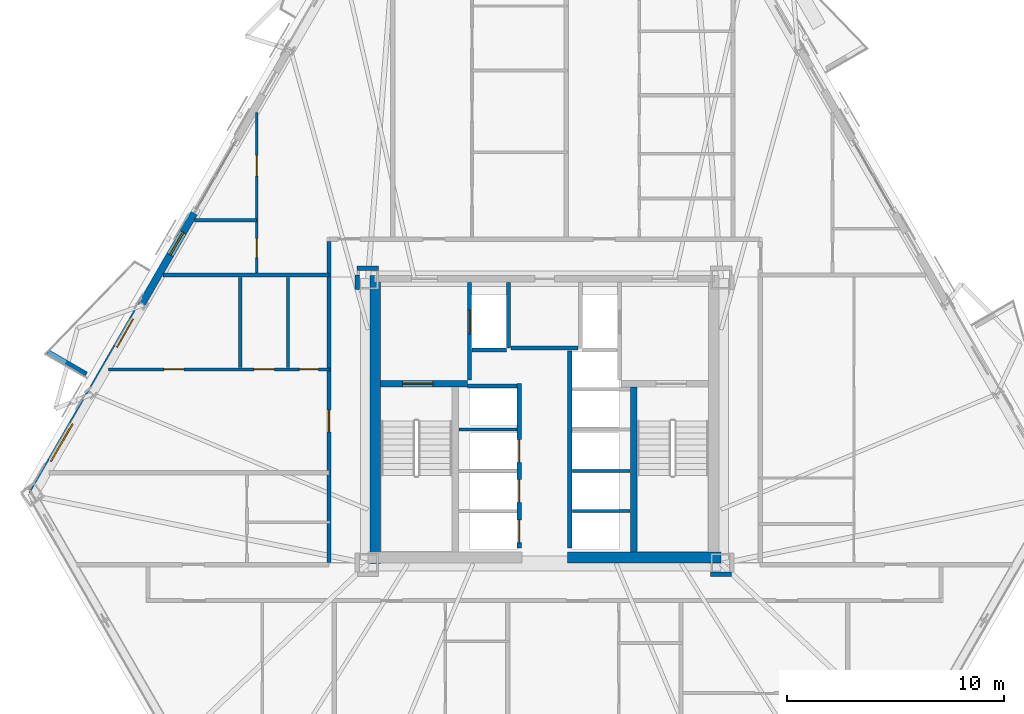
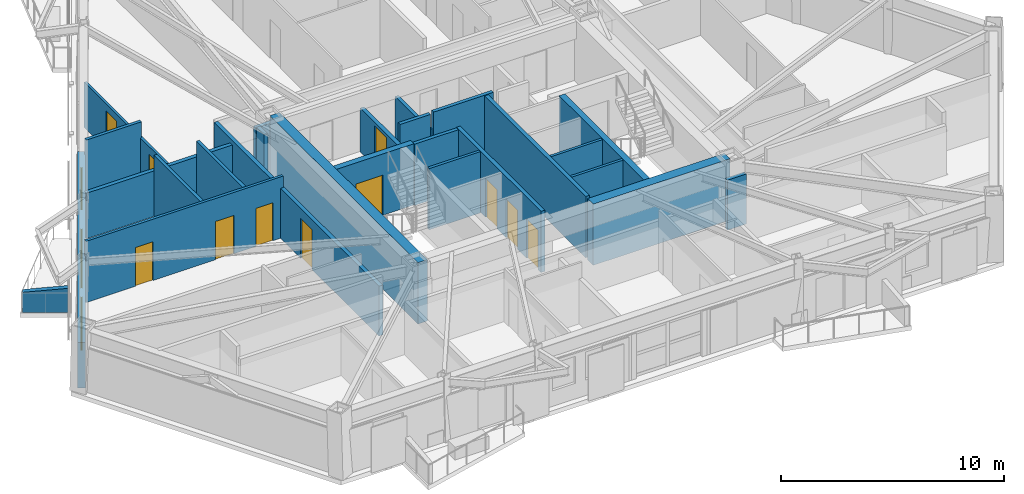
# One storey, part 10 of 17: 26 walls, 12 doors, 2 windows, 14 openings.
"""IFC4 building model written with IfcOpenShell, lengths in metres."""

from ifc_helpers import new_model, si_unit, direction, frame, frame_2d, origin, place, context, subcontext, project, spatial, polyline, rectangle, outline, extrude, material, layer, layer_set, type_object, element, fill, save


model = new_model("IFC4")

# Units and contexts
model_context = context("Model", 3, precision=1e-05, world=origin(), true_north=direction((0.0, 1.0)))
body_context = subcontext(model_context, "Body", "Model", "MODEL_VIEW")
ifc_project = project(units=[si_unit("LENGTHUNIT", "METRE"), si_unit("AREAUNIT", "SQUARE_METRE"), si_unit("VOLUMEUNIT", "CUBIC_METRE"), si_unit("PLANEANGLEUNIT", "RADIAN"), si_unit("MASSUNIT", "GRAM", prefix="KILO")], contexts=[model_context])

# Site, building, storey
site_placement = place(None, origin())
site = spatial("IfcSite", under=ifc_project, at=site_placement, CompositionType="ELEMENT")
building_placement = place(site_placement, origin())
building = spatial("IfcBuilding", under=site, at=building_placement, Name="Oramaril Tower", CompositionType="ELEMENT")
storey_placement = place(building_placement, frame((0.0, 0.0, 70.5)))
storey = spatial("IfcBuildingStorey", under=building, at=storey_placement, Name="L18", CompositionType="ELEMENT", Elevation=70.5)

# Wall, openings, door, windows
ifc_material_1 = material(Name="Warm Cream Limestone", Category="masonry")
ifc_layer_1 = layer(ifc_material_1, 0.340087890625)
ifc_layer_set_1 = layer_set([ifc_layer_1], Name="WT-EXT34")
wall_type_1 = type_object("IfcWallType", Name="WT-EXT34", PredefinedType="SOLIDWALL", material=ifc_layer_set_1)
wall_1_placement = place(storey_placement, frame((21.33544921875, 27.180908203125, 0.0), z_axis=(0.0, 0.0, 1.0), x_axis=(-0.499999987774, -0.866025410843, 0.0)))
wall_1 = element("IfcWall", 1, at=wall_1_placement, inside=storey, type_object=wall_type_1, Name="L18 Tower Limestone Facade Wall 6R", PredefinedType="SOLIDWALL", context=body_context, shape_type="SweptSolid", body=[
    extrude(rectangle(XDim=14.9755859375, YDim=0.340087890625, at=frame_2d((7.48779296875, 0.0))), origin(), (0.0, 0.0, 1.0), 2.493896484375),
])
opening_1_placement = place(wall_1_placement, frame((5.6513671875, 0.0, 0.0)))
opening_1 = element("IfcOpeningElement", 2, at=opening_1_placement, cuts=wall_1, Name="Opening D-L18-BAL-NW2", PredefinedType="OPENING", context=body_context, shape_type="SweptSolid", body=[
    extrude(rectangle(XDim=1.5, YDim=2.199951171875, at=frame_2d((0.75, 1.10009765625))), frame((0.0, 0.169921875, 0.0), z_axis=(0.0, -1.0, 0.0), x_axis=(1.0, 0.0, 0.0)), (0.0, 0.0, 1.0), 0.340087890625),
])
opening_2_placement = place(wall_1_placement, frame((11.235107421875, 0.0, 0.85009765625)))
opening_2 = element("IfcOpeningElement", 3, at=opening_2_placement, cuts=wall_1, Name="Opening WN-05", PredefinedType="OPENING", context=body_context, shape_type="SweptSolid", body=[
    extrude(rectangle(XDim=2.0, YDim=1.533935546875, at=frame_2d((1.0, 0.76708984375))), frame((0.0, 0.169921875, 0.0), z_axis=(0.0, -1.0, 0.0), x_axis=(1.0, 0.0, 0.0)), (0.0, 0.0, 1.0), 0.340087890625),
])
opening_3_placement = place(wall_1_placement, frame((1.028076171875, 0.0, 0.85009765625)))
opening_3 = element("IfcOpeningElement", 4, at=opening_3_placement, cuts=wall_1, Name="Opening WN-09", PredefinedType="OPENING", context=body_context, shape_type="SweptSolid", body=[
    extrude(rectangle(XDim=1.199951171875, YDim=1.47998046875, at=frame_2d((0.60009765625, 0.739990234375))), frame((0.0, 0.169921875, 0.0), z_axis=(0.0, -1.0, 0.0), x_axis=(1.0, 0.0, 0.0)), (0.0, 0.0, 1.0), 0.340087890625),
])
ifc_material_2 = material(Name="Anodised Aluminium 6063-T6", Category="aluminium")
door_type_1 = type_object("IfcDoorType", Name="DT-BAL", OperationType="NOTDEFINED", PredefinedType="DOOR", material=ifc_material_2)
door_1_placement = place(opening_1_placement, origin())
door_1 = element("IfcDoor", 5, at=door_1_placement, inside=storey, type_object=door_type_1, Name="L18 Balcony Glazed Door L18-BAL-NW2", OperationType="SINGLE_SWING_RIGHT", OverallHeight=2.199951171875, OverallWidth=1.5, PredefinedType="DOOR", context=body_context, shape_type="SweptSolid", body=[
    extrude(rectangle(XDim=1.5, YDim=2.199951171875, at=frame_2d((0.75, 1.10009765625))), frame((0.0, 0.02490234375, 0.0), z_axis=(0.0, -1.0, 0.0), x_axis=(1.0, 0.0, 0.0)), (0.0, 0.0, 1.0), 0.050048828125),
])
fill(opening_1, door_1)
ifc_material_3 = material(Name="Coastal Low-E Insulated Glass", Category="glass")
window_type_1 = type_object("IfcWindowType", Name="WNT-05", PartitioningType="SINGLE_PANEL", PredefinedType="WINDOW", material=ifc_material_3)
window_1_placement = place(opening_2_placement, origin())
window_1 = element("IfcWindow", 6, at=window_1_placement, inside=storey, type_object=window_type_1, Name="L18 Chicago Bay Window WN-05", OverallHeight=1.533935546875, OverallWidth=2.0, PartitioningType="SINGLE_PANEL", PredefinedType="WINDOW", context=body_context, shape_type="SweptSolid", body=[
    extrude(rectangle(XDim=2.0, YDim=1.533935546875, at=frame_2d((1.0, 0.76708984375))), frame((0.0, 0.030029296875, 0.0), z_axis=(0.0, -1.0, 0.0), x_axis=(1.0, 0.0, 0.0)), (0.0, 0.0, 1.0), 0.06005859375),
])
fill(opening_2, window_1)
ifc_material_4 = material(Name="Coastal Low-E Insulated Glass", Category="glass")
window_type_2 = type_object("IfcWindowType", Name="WNT-09", PartitioningType="SINGLE_PANEL", PredefinedType="WINDOW", material=ifc_material_4)
window_2_placement = place(opening_3_placement, origin())
window_2 = element("IfcWindow", 7, at=window_2_placement, inside=storey, type_object=window_type_2, Name="L18 Chicago Bay Window WN-09", OverallHeight=1.47998046875, OverallWidth=1.199951171875, PartitioningType="SINGLE_PANEL", PredefinedType="WINDOW", context=body_context, shape_type="SweptSolid", body=[
    extrude(rectangle(XDim=1.199951171875, YDim=1.47998046875, at=frame_2d((0.60009765625, 0.739990234375))), frame((0.0, 0.030029296875, 0.0), z_axis=(0.0, -1.0, 0.0), x_axis=(1.0, 0.0, 0.0)), (0.0, 0.0, 1.0), 0.06005859375),
])
fill(opening_3, window_2)

# Wall
ifc_material_5 = material(Name="Concrete C40/50", Category="concrete")
ifc_layer_2 = layer(ifc_material_5, 0.22998046875)
ifc_layer_set_2 = layer_set([ifc_layer_2], Name="WT-PRP23")
wall_type_2 = type_object("IfcWallType", Name="WT-PRP23", PredefinedType="PARAPET", material=ifc_layer_set_2)
wall_2_placement = place(storey_placement, frame((16.349365234375, 19.740966796875, 0.0), z_axis=(0.0, 0.0, 1.0), x_axis=(-0.866012356593, 0.500022597718, 0.0)))
element("IfcWall", 8, at=wall_2_placement, inside=storey, type_object=wall_type_2, Name="L18 Trapezoidal Balcony Frame Cheek L18-BAL-NW2-R", PredefinedType="PARAPET", context=body_context, shape_type="SweptSolid", body=[
    extrude(outline(polyline([(0.0, 0.0), (2.0419921875, 0.0), (2.0419921875, 1.10009765625), (0.0, 1.320068359375), (0.0, 0.0)])), frame((0.0, 0.114990234375, 0.0), z_axis=(0.0, -1.0, 0.0), x_axis=(1.0, 0.0, 0.0)), (0.0, 0.0, 1.0), 0.22998046875),
])

# Wall, openings, doors
ifc_material_6 = material(Name="Acoustic Gypsum Board Partition")
ifc_layer_3 = layer(ifc_material_6, 0.1201171875)
ifc_layer_set_3 = layer_set([ifc_layer_3], Name="WT-PT12")
wall_type_3 = type_object("IfcWallType", Name="WT-PT12", PredefinedType="PARTITIONING", material=ifc_layer_set_3)
wall_3_placement = place(storey_placement, frame((24.2099609375, 24.424072265625, 0.0), z_axis=(0.0, 0.0, 1.0), x_axis=(0.0, 1.0, 0.0)))
wall_3 = element("IfcWall", 9, at=wall_3_placement, inside=storey, type_object=wall_type_3, Name="L18 Interior Partition PT-12", PredefinedType="PARTITIONING", context=body_context, shape_type="SweptSolid", body=[
    extrude(rectangle(XDim=7.3876953125, YDim=0.1201171875, at=frame_2d((3.69384765625, 0.0))), origin(), (0.0, 0.0, 1.0), 2.493896484375),
])
opening_4_placement = place(wall_3_placement, frame((0.700927734375, 0.0, 0.0)))
opening_4 = element("IfcOpeningElement", 10, at=opening_4_placement, cuts=wall_3, Name="Opening D-L18-18", PredefinedType="OPENING", context=body_context, shape_type="SweptSolid", body=[
    extrude(rectangle(XDim=0.8798828125, YDim=2.080078125, at=frame_2d((0.43994140625, 1.0400390625))), frame((0.0, 0.06005859375, 0.0), z_axis=(0.0, -1.0, 0.0), x_axis=(1.0, 0.0, 0.0)), (0.0, 0.0, 1.0), 0.1201171875),
])
opening_5_placement = place(wall_3_placement, frame((4.463134765625, 0.0, 0.0)))
opening_5 = element("IfcOpeningElement", 11, at=opening_5_placement, cuts=wall_3, Name="Opening D-L18-19", PredefinedType="OPENING", context=body_context, shape_type="SweptSolid", body=[
    extrude(rectangle(XDim=0.949951171875, YDim=2.10009765625, at=frame_2d((0.47509765625, 1.050048828125))), frame((0.0, 0.06005859375, 0.0), z_axis=(0.0, -1.0, 0.0), x_axis=(1.0, 0.0, 0.0)), (0.0, 0.0, 1.0), 0.1201171875),
])
ifc_material_7 = material(Name="FSC Brazilian Freijo Hardwood", Category="wood")
door_type_2 = type_object("IfcDoorType", Name="DT-BATH", OperationType="NOTDEFINED", PredefinedType="DOOR", material=ifc_material_7)
door_2_placement = place(opening_4_placement, origin())
door_2 = element("IfcDoor", 12, at=door_2_placement, inside=storey, type_object=door_type_2, Name="L18 Flat L18-U9 Bathroom Door D-L18-18", OperationType="SINGLE_SWING_LEFT", OverallHeight=2.080078125, OverallWidth=0.8798828125, PredefinedType="DOOR", context=body_context, shape_type="SweptSolid", body=[
    extrude(rectangle(XDim=0.8798828125, YDim=2.080078125, at=frame_2d((0.43994140625, 1.0400390625))), frame((0.0, 0.02490234375, 0.0), z_axis=(0.0, -1.0, 0.0), x_axis=(1.0, 0.0, 0.0)), (0.0, 0.0, 1.0), 0.050048828125),
])
fill(opening_4, door_2)
ifc_material_8 = material(Name="FSC Brazilian Freijo Hardwood", Category="wood")
door_type_3 = type_object("IfcDoorType", Name="DT-STDY", OperationType="NOTDEFINED", PredefinedType="DOOR", material=ifc_material_8)
door_3_placement = place(opening_5_placement, origin())
door_3 = element("IfcDoor", 13, at=door_3_placement, inside=storey, type_object=door_type_3, Name="L18 Flat L18-U9 Kitchen Door D-L18-19", OperationType="SINGLE_SWING_RIGHT", OverallHeight=2.10009765625, OverallWidth=0.949951171875, PredefinedType="DOOR", context=body_context, shape_type="SweptSolid", body=[
    extrude(rectangle(XDim=0.949951171875, YDim=2.10009765625, at=frame_2d((0.47509765625, 1.050048828125))), frame((0.0, 0.02490234375, 0.0), z_axis=(0.0, -1.0, 0.0), x_axis=(1.0, 0.0, 0.0)), (0.0, 0.0, 1.0), 0.050048828125),
])
fill(opening_5, door_3)

# Walls
ifc_material_9 = material(Name="Acoustic Gypsum Board Partition")
ifc_layer_4 = layer(ifc_material_9, 0.139892578125)
ifc_layer_set_4 = layer_set([ifc_layer_4], Name="WT-PT14")
wall_type_4 = type_object("IfcWallType", Name="WT-PT14", PredefinedType="PARTITIONING", material=ifc_layer_set_4)
for number, where, z_axis, x_axis, name in (
    (14, (33.56005859375, 17.199951171875, 0.0), (0.0, 0.0, 1.0), (1.0, 0.0, 0.0), "L18 West Lift Divider"),
    (15, (38.780029296875, 13.419921875, 0.0), (0.0, 0.0, 1.0), (1.0, 0.0, 0.0), "L18 East Lift Divider"),
    (16, (38.780029296875, 15.27001953125, 0.0), (0.0, 0.0, 1.0), (1.0, 0.0, 0.0), "L18 East Lift Divider"),
):
    element("IfcWall", number, at=place(storey_placement, frame(where, z_axis=z_axis, x_axis=x_axis)), inside=storey, type_object=wall_type_4, Name=name, PredefinedType="PARTITIONING", context=body_context, shape_type="SweptSolid", body=[
        extrude(rectangle(XDim=2.659912109375, YDim=0.139892578125, at=frame_2d((1.330078125, 0.0))), origin(), (0.0, 0.0, 1.0), 3.360107421875),
    ])

# Wall, openings, doors
wall_4_placement = place(storey_placement, frame((17.373046875, 19.969970703125, 0.0), z_axis=(0.0, 0.0, 1.0), x_axis=(1.0, 0.0, 0.0)))
wall_4 = element("IfcWall", 17, at=wall_4_placement, inside=storey, type_object=wall_type_4, Name="L18 Interior Partition PT-14", PredefinedType="PARTITIONING", context=body_context, shape_type="SweptSolid", body=[
    extrude(rectangle(XDim=10.22705078125, YDim=0.139892578125, at=frame_2d((5.113525390625, 0.0))), origin(), (0.0, 0.0, 1.0), 3.360107421875),
])
opening_6_placement = place(wall_4_placement, frame((2.55517578125, 0.0, 0.0)))
opening_6 = element("IfcOpeningElement", 18, at=opening_6_placement, cuts=wall_4, Name="Opening D-L18-10", PredefinedType="OPENING", context=body_context, shape_type="SweptSolid", body=[
    extrude(rectangle(XDim=0.919921875, YDim=2.1201171875, at=frame_2d((0.4599609375, 1.06005859375))), frame((0.0, 0.06982421875, 0.0), z_axis=(0.0, -1.0, 0.0), x_axis=(1.0, 0.0, 0.0)), (0.0, 0.0, 1.0), 0.139892578125),
])
opening_7_placement = place(wall_4_placement, frame((6.71240234375, 0.0, 0.0)))
opening_7 = element("IfcOpeningElement", 19, at=opening_7_placement, cuts=wall_4, Name="Opening D-L18-11", PredefinedType="OPENING", context=body_context, shape_type="SweptSolid", body=[
    extrude(rectangle(XDim=0.949951171875, YDim=2.10009765625, at=frame_2d((0.47509765625, 1.050048828125))), frame((0.0, 0.06982421875, 0.0), z_axis=(0.0, -1.0, 0.0), x_axis=(1.0, 0.0, 0.0)), (0.0, 0.0, 1.0), 0.139892578125),
])
opening_8_placement = place(wall_4_placement, frame((8.806884765625, 0.0, 0.0)))
opening_8 = element("IfcOpeningElement", 20, at=opening_8_placement, cuts=wall_4, Name="Opening D-L18-12", PredefinedType="OPENING", context=body_context, shape_type="SweptSolid", body=[
    extrude(rectangle(XDim=0.8798828125, YDim=2.080078125, at=frame_2d((0.43994140625, 1.0400390625))), frame((0.0, 0.06982421875, 0.0), z_axis=(0.0, -1.0, 0.0), x_axis=(1.0, 0.0, 0.0)), (0.0, 0.0, 1.0), 0.139892578125),
])
door_4_placement = place(opening_8_placement, origin())
door_4 = element("IfcDoor", 21, at=door_4_placement, inside=storey, type_object=door_type_2, Name="L18 Flat L18-U7 Bathroom Door D-L18-12", OperationType="SINGLE_SWING_LEFT", OverallHeight=2.080078125, OverallWidth=0.8798828125, PredefinedType="DOOR", context=body_context, shape_type="SweptSolid", body=[
    extrude(rectangle(XDim=0.8798828125, YDim=2.080078125, at=frame_2d((0.43994140625, 1.0400390625))), frame((0.0, 0.02490234375, 0.0), z_axis=(0.0, -1.0, 0.0), x_axis=(1.0, 0.0, 0.0)), (0.0, 0.0, 1.0), 0.050048828125),
])
fill(opening_8, door_4)
ifc_material_10 = material(Name="FSC Brazilian Freijo Hardwood", Category="wood")
door_type_4 = type_object("IfcDoorType", Name="DT-BED", OperationType="NOTDEFINED", PredefinedType="DOOR", material=ifc_material_10)
door_5_placement = place(opening_6_placement, origin())
door_5 = element("IfcDoor", 22, at=door_5_placement, inside=storey, type_object=door_type_4, Name="L18 Flat L18-U7 Master Bedroom Door D-L18-10", OperationType="SINGLE_SWING_LEFT", OverallHeight=2.1201171875, OverallWidth=0.919921875, PredefinedType="DOOR", context=body_context, shape_type="SweptSolid", body=[
    extrude(rectangle(XDim=0.919921875, YDim=2.1201171875, at=frame_2d((0.4599609375, 1.06005859375))), frame((0.0, 0.02490234375, 0.0), z_axis=(0.0, -1.0, 0.0), x_axis=(1.0, 0.0, 0.0)), (0.0, 0.0, 1.0), 0.050048828125),
])
fill(opening_6, door_5)
door_6_placement = place(opening_7_placement, origin())
door_6 = element("IfcDoor", 23, at=door_6_placement, inside=storey, type_object=door_type_3, Name="L18 Flat L18-U7 Kitchen Door D-L18-11", OperationType="SINGLE_SWING_RIGHT", OverallHeight=2.10009765625, OverallWidth=0.949951171875, PredefinedType="DOOR", context=body_context, shape_type="SweptSolid", body=[
    extrude(rectangle(XDim=0.949951171875, YDim=2.10009765625, at=frame_2d((0.47509765625, 1.050048828125))), frame((0.0, 0.02490234375, 0.0), z_axis=(0.0, -1.0, 0.0), x_axis=(1.0, 0.0, 0.0)), (0.0, 0.0, 1.0), 0.050048828125),
])
fill(opening_7, door_6)

# Walls
ifc_material_11 = material(Name="Acoustic Gypsum Board Partition")
ifc_layer_5 = layer(ifc_material_11, 0.159912109375)
ifc_layer_set_5 = layer_set([ifc_layer_5], Name="WT-PT16")
wall_type_5 = type_object("IfcWallType", Name="WT-PT16", PredefinedType="PARTITIONING", material=ifc_layer_set_5)
wall_5_placement = place(storey_placement, frame((21.339599609375, 26.840087890625, 0.0), z_axis=(0.0, 0.0, 1.0), x_axis=(1.0, 0.0, 0.0)))
element("IfcWall", 24, at=wall_5_placement, inside=storey, type_object=wall_type_5, Name="L18 Interior Partition PT-16", PredefinedType="PARTITIONING", context=body_context, shape_type="SweptSolid", body=[
    extrude(rectangle(XDim=2.8671875, YDim=0.159912109375, at=frame_2d((1.43359375, 0.0))), origin(), (0.0, 0.0, 1.0), 3.360107421875),
])
for number, where, z_axis, x_axis, name in (
    (25, (23.4599609375, 20.0439453125, 0.0), (0.0, 0.0, 1.0), (0.0, 1.0, 0.0), "L18 Interior Partition PT-16"),
    (26, (25.659912109375, 20.0439453125, 0.0), (0.0, 0.0, 1.0), (0.0, 1.0, 0.0), "L18 Interior Partition PT-16"),
):
    element("IfcWall", number, at=place(storey_placement, frame(where, z_axis=z_axis, x_axis=x_axis)), inside=storey, type_object=wall_type_5, Name=name, PredefinedType="PARTITIONING", context=body_context, shape_type="SweptSolid", body=[
        extrude(rectangle(XDim=4.172119140625, YDim=0.159912109375, at=frame_2d((2.0859375, 0.0))), origin(), (0.0, 0.0, 1.0), 3.360107421875),
    ])
ifc_material_12 = material(Name="Autoclaved Cellular Concrete Block", Category="concrete")
ifc_layer_6 = layer(ifc_material_12, 0.179931640625)
ifc_layer_set_6 = layer_set([ifc_layer_6], Name="WT-PT18")
wall_type_6 = type_object("IfcWallType", Name="WT-PT18", PredefinedType="PARTITIONING", material=ifc_layer_set_6)
wall_6_placement = place(storey_placement, frame((35.840087890625, 20.9599609375, 0.0), z_axis=(0.0, 0.0, 1.0), x_axis=(0.0, 1.0, 0.0)))
element("IfcWall", 27, at=wall_6_placement, inside=storey, type_object=wall_type_6, Name="L18 FL-1 East Shaft Wall", PredefinedType="PARTITIONING", context=body_context, shape_type="SweptSolid", body=[
    extrude(rectangle(XDim=3.02001953125, YDim=0.179931640625, at=frame_2d((1.510009765625, 0.0))), origin(), (0.0, 0.0, 1.0), 2.39990234375),
])
wall_7_placement = place(storey_placement, frame((34.159912109375, 20.860107421875, 0.0), z_axis=(0.0, 0.0, 1.0), x_axis=(1.0, 0.0, 0.0)))
element("IfcWall", 28, at=wall_7_placement, inside=storey, type_object=wall_type_6, Name="L18 FL-1 South Shaft Wall", PredefinedType="PARTITIONING", context=body_context, shape_type="SweptSolid", body=[
    extrude(rectangle(XDim=1.580078125, YDim=0.179931640625, at=frame_2d((0.7900390625, 0.0))), origin(), (0.0, 0.0, 1.0), 3.360107421875),
])
wall_8_placement = place(storey_placement, frame((33.949951171875, 19.199951171875, 0.0), z_axis=(0.0, 0.0, 1.0), x_axis=(1.0, 0.0, 0.0)))
element("IfcWall", 29, at=wall_8_placement, inside=storey, type_object=wall_type_6, Name="L18 High-Rise Lift H1 North Shaft Wall", PredefinedType="PARTITIONING", context=body_context, shape_type="SweptSolid", body=[
    extrude(rectangle(XDim=2.27001953125, YDim=0.179931640625, at=frame_2d((1.135009765625, 0.0))), origin(), (0.0, 0.0, 1.0), 3.360107421875),
])
wall_9_placement = place(storey_placement, frame((35.949951171875, 20.949951171875, 0.0), z_axis=(0.0, 0.0, 1.0), x_axis=(1.0, 0.0, 0.0)))
element("IfcWall", 30, at=wall_9_placement, inside=storey, type_object=wall_type_6, Name="L18 Lift Lobby North Partition", PredefinedType="PARTITIONING", context=body_context, shape_type="SweptSolid", body=[
    extrude(rectangle(XDim=3.10009765625, YDim=0.179931640625, at=frame_2d((1.550048828125, 0.0))), origin(), (0.0, 0.0, 1.0), 3.360107421875),
])
ifc_material_13 = material(Name="Autoclaved Cellular Concrete Block", Category="concrete")
ifc_layer_7 = layer(ifc_material_13, 0.199951171875)
ifc_layer_set_7 = layer_set([ifc_layer_7], Name="WT-PT20")
wall_type_7 = type_object("IfcWallType", Name="WT-PT20", PredefinedType="PARTITIONING", material=ifc_layer_set_7)
wall_10_placement = place(storey_placement, frame((45.159912109375, 10.510009765625, 0.0), z_axis=(0.0, 0.0, 1.0), x_axis=(1.0, 0.0, 0.0)))
element("IfcWall", 31, at=wall_10_placement, inside=storey, type_object=wall_type_7, Name="L18 Interior Partition PT-20", PredefinedType="PARTITIONING", context=body_context, shape_type="SweptSolid", body=[
    extrude(rectangle(XDim=0.97998046875, YDim=0.199951171875, at=frame_2d((0.489990234375, 0.0))), origin(), (0.0, 0.0, 1.0), 2.738037109375),
])
wall_11_placement = place(storey_placement, frame((19.884521484375, 24.320068359375, 0.0), z_axis=(0.0, 0.0, 1.0), x_axis=(1.0, 0.0, 0.0)))
element("IfcWall", 32, at=wall_11_placement, inside=storey, type_object=wall_type_7, Name="L18 Interior Partition PT-20", PredefinedType="PARTITIONING", context=body_context, shape_type="SweptSolid", body=[
    extrude(rectangle(XDim=7.66552734375, YDim=0.199951171875, at=frame_2d((3.832763671875, 0.0))), origin(), (0.0, 0.0, 1.0), 2.493896484375),
])
wall_12_placement = place(storey_placement, frame((28.85498046875, 24.639892578125, 0.0), z_axis=(0.0, 0.0, 1.0), x_axis=(1.0, 0.0, 0.0)))
element("IfcWall", 33, at=wall_12_placement, inside=storey, type_object=wall_type_7, Name="L18 Interior Partition PT-20", PredefinedType="PARTITIONING", context=body_context, shape_type="SweptSolid", body=[
    extrude(rectangle(XDim=0.989990234375, YDim=0.199951171875, at=frame_2d((0.4951171875, 0.0))), origin(), (0.0, 0.0, 1.0), 2.738037109375),
])

# Wall, opening, door
wall_13_placement = place(storey_placement, frame((27.550048828125, 11.053955078125, 0.0), z_axis=(0.0, 0.0, 1.0), x_axis=(0.0, 1.0, 0.0)))
wall_13 = element("IfcWall", 34, at=wall_13_placement, inside=storey, type_object=wall_type_7, Name="L18 Interior Partition PT-20", PredefinedType="PARTITIONING", context=body_context, shape_type="SweptSolid", body=[
    extrude(rectangle(XDim=14.81201171875, YDim=0.199951171875, at=frame_2d((7.406005859375, 0.0))), origin(), (0.0, 0.0, 1.0), 2.738037109375),
])
opening_9_placement = place(wall_13_placement, frame((6.031005859375, 0.0, 0.0)))
opening_9 = element("IfcOpeningElement", 35, at=opening_9_placement, cuts=wall_13, Name="Opening D-L18-21", PredefinedType="OPENING", context=body_context, shape_type="SweptSolid", body=[
    extrude(rectangle(XDim=1.0, YDim=2.179931640625, at=frame_2d((0.5, 1.08984375))), frame((0.0, 0.10009765625, 0.0), z_axis=(0.0, -1.0, 0.0), x_axis=(1.0, 0.0, 0.0)), (0.0, 0.0, 1.0), 0.199951171875),
])
ifc_material_14 = material(Name="FSC Brazilian Freijo Hardwood", Category="wood")
door_type_5 = type_object("IfcDoorType", Name="DT-APT", OperationType="NOTDEFINED", PredefinedType="DOOR", material=ifc_material_14)
door_7_placement = place(opening_9_placement, origin())
door_7 = element("IfcDoor", 36, at=door_7_placement, inside=storey, type_object=door_type_5, Name="L18 Flat L18-U7 Living and Dining Room Door D-L18-21", OperationType="SINGLE_SWING_RIGHT", OverallHeight=2.179931640625, OverallWidth=1.0, PredefinedType="DOOR", context=body_context, shape_type="SweptSolid", body=[
    extrude(rectangle(XDim=1.0, YDim=2.179931640625, at=frame_2d((0.5, 1.08984375))), frame((0.0, 0.02490234375, 0.0), z_axis=(0.0, -1.0, 0.0), x_axis=(1.0, 0.0, 0.0)), (0.0, 0.0, 1.0), 0.050048828125),
])
fill(opening_9, door_7)

# Wall
wall_14_placement = place(storey_placement, frame((28.860107421875, 23.655029296875, 0.0), z_axis=(0.0, 0.0, 1.0), x_axis=(0.0, 1.0, 0.0)))
element("IfcWall", 37, at=wall_14_placement, inside=storey, type_object=wall_type_7, Name="L18 Interior Partition PT-20", PredefinedType="PARTITIONING", context=body_context, shape_type="SweptSolid", body=[
    extrude(rectangle(XDim=0.6650390625, YDim=0.199951171875, at=frame_2d((0.33251953125, 0.0))), origin(), (0.0, 0.0, 1.0), 2.946044921875),
])

# Wall, opening, door
ifc_material_15 = material(Name="Concrete C50/60", Category="concrete")
ifc_layer_8 = layer(ifc_material_15, 0.300048828125)
ifc_layer_set_8 = layer_set([ifc_layer_8], Name="WT-SH30")
wall_type_8 = type_object("IfcWallType", Name="WT-SH30", PredefinedType="SHEAR", material=ifc_layer_set_8)
wall_15_placement = place(storey_placement, frame((29.93994140625, 19.31005859375, 0.0), z_axis=(0.0, 0.0, 1.0), x_axis=(1.0, 0.0, 0.0)))
wall_15 = element("IfcWall", 38, at=wall_15_placement, inside=storey, type_object=wall_type_8, Name="L18 Core Shear Wall CW-ST1N", PredefinedType="SHEAR", context=body_context, shape_type="SweptSolid", body=[
    extrude(rectangle(XDim=4.010009765625, YDim=0.300048828125, at=frame_2d((2.0048828125, 0.0))), origin(), (0.0, 0.0, 1.0), 3.360107421875),
])
opening_10_placement = place(wall_15_placement, frame((1.010009765625, 0.0, 0.0)))
opening_10 = element("IfcOpeningElement", 39, at=opening_10_placement, cuts=wall_15, Name="Opening D-L18-ST1", PredefinedType="OPENING", context=body_context, shape_type="SweptSolid", body=[
    extrude(rectangle(XDim=1.39990234375, YDim=2.199951171875, at=frame_2d((0.699951171875, 1.10009765625))), frame((0.0, 0.14990234375, 0.0), z_axis=(0.0, -1.0, 0.0), x_axis=(1.0, 0.0, 0.0)), (0.0, 0.0, 1.0), 0.300048828125),
])
ifc_material_16 = material(Name="Painted Galvanised Steel", Category="steel")
door_type_6 = type_object("IfcDoorType", Name="DT-ST", OperationType="NOTDEFINED", PredefinedType="DOOR", material=ifc_material_16)
door_8_placement = place(opening_10_placement, origin())
door_8 = element("IfcDoor", 40, at=door_8_placement, inside=storey, type_object=door_type_6, Name="L18 Protected Stair ST-1 Fire Door", OperationType="SINGLE_SWING_LEFT", OverallHeight=2.199951171875, OverallWidth=1.39990234375, PredefinedType="DOOR", context=body_context, shape_type="SweptSolid", body=[
    extrude(rectangle(XDim=1.39990234375, YDim=2.199951171875, at=frame_2d((0.699951171875, 1.10009765625))), frame((0.0, 0.02490234375, 0.0), z_axis=(0.0, -1.0, 0.0), x_axis=(1.0, 0.0, 0.0)), (0.0, 0.0, 1.0), 0.050048828125),
])
fill(opening_10, door_8)

# Walls
wall_16_placement = place(storey_placement, frame((41.6201171875, 11.5400390625, 0.0), z_axis=(0.0, 0.0, 1.0), x_axis=(0.0, 1.0, 0.0)))
element("IfcWall", 41, at=wall_16_placement, inside=storey, type_object=wall_type_8, Name="L18 Core Shear Wall CW-ST2W", PredefinedType="SHEAR", context=body_context, shape_type="SweptSolid", body=[
    extrude(rectangle(XDim=7.619873046875, YDim=0.300048828125, at=frame_2d((3.81005859375, 0.0))), origin(), (0.0, 0.0, 1.0), 3.360107421875),
])
ifc_material_17 = material(Name="Concrete C50/60", Category="concrete")
ifc_layer_9 = layer(ifc_material_17, 0.5)
ifc_layer_set_9 = layer_set([ifc_layer_9], Name="WT-SH50")
wall_type_9 = type_object("IfcWallType", Name="WT-SH50", PredefinedType="SHEAR", material=ifc_layer_set_9)
wall_17_placement = place(storey_placement, frame((29.68994140625, 11.0, 0.0), z_axis=(0.0, 0.0, 1.0), x_axis=(0.0, 1.0, 0.0)))
element("IfcWall", 42, at=wall_17_placement, inside=storey, type_object=wall_type_9, Name="L18 Core Shear Wall CW-W", PredefinedType="SHEAR", context=body_context, shape_type="SweptSolid", body=[
    extrude(rectangle(XDim=13.300048828125, YDim=0.5, at=frame_2d((6.64990234375, 0.0))), origin(), (0.0, 0.0, 1.0), 3.360107421875),
])
wall_18_placement = place(storey_placement, frame((38.550048828125, 11.2900390625, 0.0), z_axis=(0.0, 0.0, 1.0), x_axis=(1.0, 0.0, 0.0)))
element("IfcWall", 43, at=wall_18_placement, inside=storey, type_object=wall_type_9, Name="L18 Core Shear Wall CW-SE", PredefinedType="SHEAR", context=body_context, shape_type="SweptSolid", body=[
    extrude(rectangle(XDim=7.099853515625, YDim=0.5, at=frame_2d((3.5498046875, 0.0))), origin(), (0.0, 0.0, 1.0), 3.360107421875),
])

# Wall, opening, door
ifc_material_18 = material(Name="Autoclaved Cellular Concrete Block", Category="concrete")
ifc_layer_10 = layer(ifc_material_18, 0.199951171875)
ifc_layer_set_10 = layer_set([ifc_layer_10], Name="WT-SHF20")
wall_type_10 = type_object("IfcWallType", Name="WT-SHF20", PredefinedType="PARTITIONING", material=ifc_layer_set_10)
wall_19_placement = place(storey_placement, frame((34.0400390625, 19.47998046875, 0.0), z_axis=(0.0, 0.0, 1.0), x_axis=(0.0, 1.0, 0.0)))
wall_19 = element("IfcWall", 44, at=wall_19_placement, inside=storey, type_object=wall_type_10, Name="L18 FL-1 Lobby Shaft Wall", PredefinedType="PARTITIONING", context=body_context, shape_type="SweptSolid", body=[
    extrude(rectangle(XDim=4.5, YDim=0.199951171875, at=frame_2d((2.25, 0.0))), origin(), (0.0, 0.0, 1.0), 2.39990234375),
])
opening_11_placement = place(wall_19_placement, frame((2.1201171875, 0.0, 0.0)))
opening_11 = element("IfcOpeningElement", 45, at=opening_11_placement, cuts=wall_19, Name="Opening LD-L18-FL-1", PredefinedType="OPENING", context=body_context, shape_type="SweptSolid", body=[
    extrude(rectangle(XDim=1.10009765625, YDim=2.199951171875, at=frame_2d((0.550048828125, 1.10009765625))), frame((0.0, 0.10009765625, 0.0), z_axis=(0.0, -1.0, 0.0), x_axis=(1.0, 0.0, 0.0)), (0.0, 0.0, 1.0), 0.199951171875),
])
ifc_material_19 = material(Name="Stainless Steel 316L", Category="steel")
door_type_7 = type_object("IfcDoorType", Name="DT-LD1", OperationType="NOTDEFINED", PredefinedType="DOOR", material=ifc_material_19)
door_9_placement = place(opening_11_placement, origin())
door_9 = element("IfcDoor", 46, at=door_9_placement, inside=storey, type_object=door_type_7, Name="L18 Lift FL-1 Sliding Landing Door", OperationType="SLIDING_TO_LEFT", OverallHeight=2.199951171875, OverallWidth=1.10009765625, PredefinedType="DOOR", context=body_context, shape_type="SweptSolid", body=[
    extrude(rectangle(XDim=1.10009765625, YDim=2.199951171875, at=frame_2d((0.550048828125, 1.10009765625))), frame((0.0, 0.02490234375, 0.0), z_axis=(0.0, -1.0, 0.0), x_axis=(1.0, 0.0, 0.0)), (0.0, 0.0, 1.0), 0.050048828125),
])
fill(opening_11, door_9)

# Wall, openings, doors
wall_20_placement = place(storey_placement, frame((36.340087890625, 11.719970703125, 0.0), z_axis=(0.0, 0.0, 1.0), x_axis=(0.0, 1.0, 0.0)))
wall_20 = element("IfcWall", 47, at=wall_20_placement, inside=storey, type_object=wall_type_10, Name="L18 West Lift Bank Front Wall", PredefinedType="PARTITIONING", context=body_context, shape_type="SweptSolid", body=[
    extrude(rectangle(XDim=7.60009765625, YDim=0.199951171875, at=frame_2d((3.800048828125, 0.0))), origin(), (0.0, 0.0, 1.0), 3.360107421875),
])
opening_12_placement = place(wall_20_placement, frame((0.2548828125, 0.0, 0.0)))
opening_12 = element("IfcOpeningElement", 48, at=opening_12_placement, cuts=wall_20, Name="Opening LD-L18-LP-L1", PredefinedType="OPENING", context=body_context, shape_type="SweptSolid", body=[
    extrude(rectangle(XDim=1.050048828125, YDim=2.14990234375, at=frame_2d((0.52490234375, 1.074951171875))), frame((0.0, 0.10009765625, 0.0), z_axis=(0.0, -1.0, 0.0), x_axis=(1.0, 0.0, 0.0)), (0.0, 0.0, 1.0), 0.199951171875),
])
opening_13_placement = place(wall_20_placement, frame((2.10498046875, 0.0, 0.0)))
opening_13 = element("IfcOpeningElement", 49, at=opening_13_placement, cuts=wall_20, Name="Opening LD-L18-LP-L2", PredefinedType="OPENING", context=body_context, shape_type="SweptSolid", body=[
    extrude(rectangle(XDim=1.050048828125, YDim=2.14990234375, at=frame_2d((0.52490234375, 1.074951171875))), frame((0.0, 0.10009765625, 0.0), z_axis=(0.0, -1.0, 0.0), x_axis=(1.0, 0.0, 0.0)), (0.0, 0.0, 1.0), 0.199951171875),
])
opening_14_placement = place(wall_20_placement, frame((3.955078125, 0.0, 0.0)))
opening_14 = element("IfcOpeningElement", 50, at=opening_14_placement, cuts=wall_20, Name="Opening LD-L18-LP-L3", PredefinedType="OPENING", context=body_context, shape_type="SweptSolid", body=[
    extrude(rectangle(XDim=1.050048828125, YDim=2.14990234375, at=frame_2d((0.52490234375, 1.074951171875))), frame((0.0, 0.10009765625, 0.0), z_axis=(0.0, -1.0, 0.0), x_axis=(1.0, 0.0, 0.0)), (0.0, 0.0, 1.0), 0.199951171875),
])
ifc_material_20 = material(Name="Stainless Steel 316L", Category="steel")
door_type_8 = type_object("IfcDoorType", Name="DT-LD2", OperationType="NOTDEFINED", PredefinedType="DOOR", material=ifc_material_20)
door_10_placement = place(opening_12_placement, origin())
door_10 = element("IfcDoor", 51, at=door_10_placement, inside=storey, type_object=door_type_8, Name="L18 Lift LP-L1 Sliding Landing Door", OperationType="SLIDING_TO_LEFT", OverallHeight=2.14990234375, OverallWidth=1.050048828125, PredefinedType="DOOR", context=body_context, shape_type="SweptSolid", body=[
    extrude(rectangle(XDim=1.050048828125, YDim=2.14990234375, at=frame_2d((0.52490234375, 1.074951171875))), frame((0.0, 0.02490234375, 0.0), z_axis=(0.0, -1.0, 0.0), x_axis=(1.0, 0.0, 0.0)), (0.0, 0.0, 1.0), 0.050048828125),
])
fill(opening_12, door_10)
door_11_placement = place(opening_13_placement, origin())
door_11 = element("IfcDoor", 52, at=door_11_placement, inside=storey, type_object=door_type_8, Name="L18 Lift LP-L2 Sliding Landing Door", OperationType="SLIDING_TO_RIGHT", OverallHeight=2.14990234375, OverallWidth=1.050048828125, PredefinedType="DOOR", context=body_context, shape_type="SweptSolid", body=[
    extrude(rectangle(XDim=1.050048828125, YDim=2.14990234375, at=frame_2d((0.52490234375, 1.074951171875))), frame((0.0, 0.02490234375, 0.0), z_axis=(0.0, -1.0, 0.0), x_axis=(1.0, 0.0, 0.0)), (0.0, 0.0, 1.0), 0.050048828125),
])
fill(opening_13, door_11)
door_12_placement = place(opening_14_placement, origin())
door_12 = element("IfcDoor", 53, at=door_12_placement, inside=storey, type_object=door_type_8, Name="L18 Lift LP-L3 Sliding Landing Door", OperationType="SLIDING_TO_LEFT", OverallHeight=2.14990234375, OverallWidth=1.050048828125, PredefinedType="DOOR", context=body_context, shape_type="SweptSolid", body=[
    extrude(rectangle(XDim=1.050048828125, YDim=2.14990234375, at=frame_2d((0.52490234375, 1.074951171875))), frame((0.0, 0.02490234375, 0.0), z_axis=(0.0, -1.0, 0.0), x_axis=(1.0, 0.0, 0.0)), (0.0, 0.0, 1.0), 0.050048828125),
])
fill(opening_14, door_12)

# Wall
wall_21_placement = place(storey_placement, frame((38.659912109375, 11.719970703125, 0.0), z_axis=(0.0, 0.0, 1.0), x_axis=(0.0, 1.0, 0.0)))
element("IfcWall", 54, at=wall_21_placement, inside=storey, type_object=wall_type_10, Name="L18 East Lift Bank Front Wall", PredefinedType="PARTITIONING", context=body_context, shape_type="SweptSolid", body=[
    extrude(rectangle(XDim=9.10009765625, YDim=0.199951171875, at=frame_2d((4.550048828125, 0.0))), origin(), (0.0, 0.0, 1.0), 3.360107421875),
])

save(model, "model.ifc")
